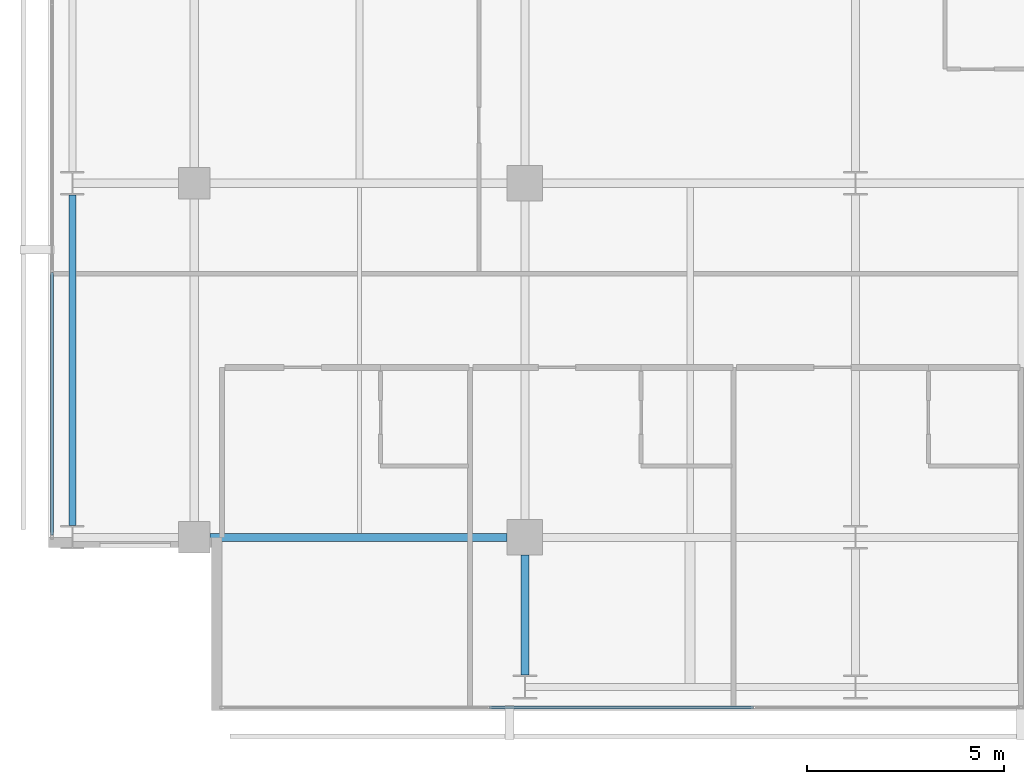
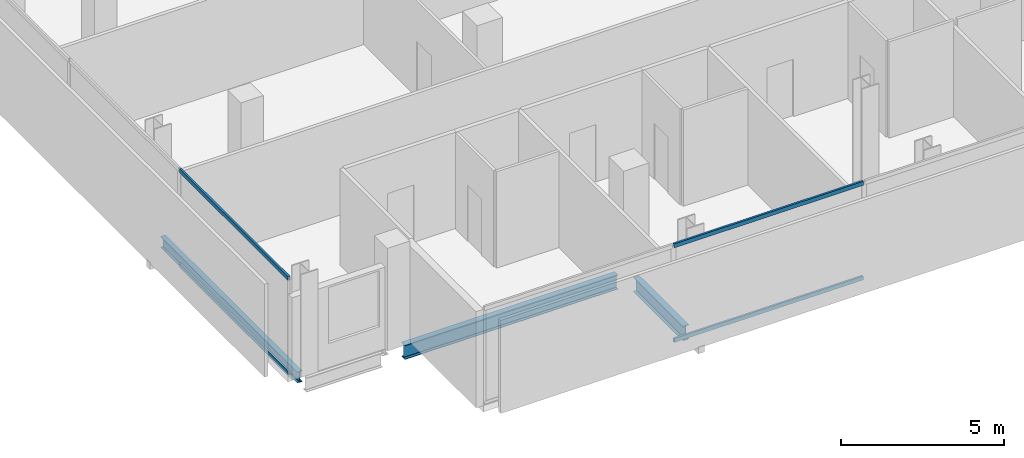
# One storey, part 3 of 33: 4 members, 3 beams, 2 elements without a shape of their own.
"""IFC4 building model written with IfcOpenShell, lengths in metres."""

from ifc_helpers import new_model, si_unit, direction, frame, origin, origin_2d, place, context, subcontext, project, spatial, hollow_rectangle, i_section, extrude, material, layer, layer_set, material_profile, profile_set, type_object, element, aggregate, save


model = new_model("IFC4")

# Units and contexts
model_context = context("Model", 3, precision=1e-05, world=origin(), true_north=direction((0.0, 1.0)))
body_context = subcontext(model_context, "Body", "Model", "MODEL_VIEW")
ifc_project = project(units=[si_unit("LENGTHUNIT", "METRE"), si_unit("AREAUNIT", "SQUARE_METRE"), si_unit("VOLUMEUNIT", "CUBIC_METRE"), si_unit("PLANEANGLEUNIT", "RADIAN"), si_unit("MASSUNIT", "GRAM", prefix="KILO")], contexts=[model_context])

# Site, building, storey
site_placement = place(None, origin())
site = spatial("IfcSite", under=ifc_project, at=site_placement, CompositionType="ELEMENT")
building_placement = place(site_placement, origin())
building = spatial("IfcBuilding", under=site, at=building_placement, Name="Maruvema Waterfront Hotel and Observation Tower", CompositionType="ELEMENT")
storey_placement = place(building_placement, frame((0.0, 0.0, 196.699951171875)))
storey = spatial("IfcBuildingStorey", under=building, at=storey_placement, Name="L48", CompositionType="ELEMENT", Elevation=196.699951171875)

# Curtain wall, members
ifc_material_1 = material(Name="Anodised bronze aluminium and solar-control low-E IGU", Category="aluminium")
ifc_layer = layer(ifc_material_1, 0.159912109375, Name="Zone 2 Amber Inner Thermal Curtain Wall System CW-03")
ifc_layer_set = layer_set([ifc_layer], Name="Anodised bronze aluminium and solar-control low-E IGU")
curtain_wall_type = type_object("IfcCurtainWallType", Name="Zone 2 Amber Inner Thermal Curtain Wall System CW-03", PredefinedType="USERDEFINED", material=ifc_layer_set)
curtain_wall_1_placement = place(storey_placement, origin())
curtain_wall_1 = element("IfcCurtainWall", 1, at=curtain_wall_1_placement, inside=storey, type_object=curtain_wall_type, Name="L48 Curtain Wall CW-L48-S", ObjectType="UNITISED CURTAIN WALL", PredefinedType="USERDEFINED")
ifc_material_2 = material(Name="Anodised architectural bronze aluminium", Category="aluminium")
ifc_material_profile_1 = material_profile(ifc_material_2, hollow_rectangle(XDim=0.070068359375, YDim=0.14990234375, WallThickness=0.00390625, at=origin_2d()), Name="ALU-T70x150")
ifc_profile_set_1 = profile_set([ifc_material_profile_1], Name="Anodised architectural bronze aluminium")
member_type = type_object("IfcMemberType", Name="Curtain Wall Horizontal Transom ALU-T70x150", PredefinedType="USERDEFINED", material=ifc_profile_set_1)
member_1_placement = place(storey_placement, frame((24.296630859375, 4.679931640625, 0.030029296875), z_axis=(1.0, 0.0, 0.0), x_axis=(0.0, 1.0, 0.0)))
member_1 = element("IfcMember", 2, at=member_1_placement, type_object=member_type, Name="CW-03 transom 2.1", ObjectType="TRANSOM", PredefinedType="USERDEFINED", context=body_context, shape_type="SweptSolid", body=[
    extrude(hollow_rectangle(XDim=0.070068359375, YDim=0.14990234375, WallThickness=0.00390625, at=origin_2d()), origin(), (0.0, 0.0, 1.0), 6.706787109375),
])
member_2_placement = place(storey_placement, frame((24.296630859375, 4.679931640625, 3.580078125), z_axis=(1.0, 0.0, 0.0), x_axis=(0.0, 1.0, 0.0)))
member_2 = element("IfcMember", 3, at=member_2_placement, type_object=member_type, Name="CW-03 transom 2.2", ObjectType="TRANSOM", PredefinedType="USERDEFINED", context=body_context, shape_type="SweptSolid", body=[
    extrude(hollow_rectangle(XDim=0.070068359375, YDim=0.14990234375, WallThickness=0.00390625, at=origin_2d()), origin(), (0.0, 0.0, 1.0), 6.706787109375),
])
aggregate(curtain_wall_1, [member_1, member_2])

curtain_wall_2_placement = place(storey_placement, origin())
curtain_wall_2 = element("IfcCurtainWall", 4, at=curtain_wall_2_placement, inside=storey, type_object=curtain_wall_type, Name="L48 Curtain Wall CW-L48-W", ObjectType="UNITISED CURTAIN WALL", PredefinedType="USERDEFINED")
member_3_placement = place(storey_placement, frame((13.179931640625, 15.736572265625, 0.030029296875), z_axis=(0.0, -1.0, 0.0), x_axis=(1.0, 0.0, 0.0)))
member_3 = element("IfcMember", 5, at=member_3_placement, type_object=member_type, Name="CW-03 transom 6.1", ObjectType="TRANSOM", PredefinedType="USERDEFINED", context=body_context, shape_type="SweptSolid", body=[
    extrude(hollow_rectangle(XDim=0.070068359375, YDim=0.14990234375, WallThickness=0.00390625, at=origin_2d()), origin(), (0.0, 0.0, 1.0), 6.676513671875),
])
member_4_placement = place(storey_placement, frame((13.179931640625, 15.736572265625, 3.580078125), z_axis=(0.0, -1.0, 0.0), x_axis=(1.0, 0.0, 0.0)))
member_4 = element("IfcMember", 6, at=member_4_placement, type_object=member_type, Name="CW-03 transom 6.2", ObjectType="TRANSOM", PredefinedType="USERDEFINED", context=body_context, shape_type="SweptSolid", body=[
    extrude(hollow_rectangle(XDim=0.070068359375, YDim=0.14990234375, WallThickness=0.00390625, at=origin_2d()), origin(), (0.0, 0.0, 1.0), 6.676513671875),
])
aggregate(curtain_wall_2, [member_3, member_4])

# Beams
ifc_material_3 = material(Name="Steel ASTM A572 Grade 50", Category="steel")
ifc_material_profile_2 = material_profile(ifc_material_3, i_section(OverallWidth=0.178955078125, OverallDepth=0.409912109375, WebThickness=0.0087890625, FlangeThickness=0.014404296875, FilletRadius=0.014892578125, at=origin_2d()), Name="W410x67.0")
ifc_profile_set_2 = profile_set([ifc_material_profile_2], Name="Steel ASTM A572 Grade 50")
beam_type_1 = type_object("IfcBeamType", Name="Perimeter Spandrel Beam W410x67.0", PredefinedType="SPANDREL", material=ifc_profile_set_2)
beam_1_placement = place(storey_placement, frame((13.699951171875, 9.300048828125, -0.445068359375), z_axis=(0.0, 1.0, 0.0), x_axis=(-1.0, 0.0, 0.0)))
element("IfcBeam", 7, at=beam_1_placement, inside=storey, type_object=beam_type_1, Name="L48 Floor Girder NS-01", PredefinedType="SPANDREL", context=body_context, shape_type="SweptSolid", body=[
    extrude(i_section(OverallWidth=0.178955078125, OverallDepth=0.409912109375, WebThickness=0.0087890625, FlangeThickness=0.014404296875, FilletRadius=0.014892578125, at=origin_2d()), origin(), (0.0, 0.0, 1.0), 8.39990234375),
])
ifc_material_4 = material(Name="Steel ASTM A572 Grade 50", Category="steel")
ifc_material_profile_3 = material_profile(ifc_material_4, i_section(OverallWidth=0.2109375, OverallDepth=0.5390625, WebThickness=0.01171875, FlangeThickness=0.018798828125, FilletRadius=0.014892578125, at=origin_2d()), Name="W530x109.0")
ifc_profile_set_3 = profile_set([ifc_material_profile_3], Name="Steel ASTM A572 Grade 50")
beam_type_2 = type_object("IfcBeamType", Name="Primary Floor Girder W530x109.0", PredefinedType="BEAM", material=ifc_profile_set_3)
beam_2_placement = place(storey_placement, frame((17.199951171875, 9.0, -0.509521484375), z_axis=(1.0, 0.0, 0.0), x_axis=(0.0, 1.0, 0.0)))
element("IfcBeam", 8, at=beam_2_placement, inside=storey, type_object=beam_type_2, Name="L48 Floor Girder EW-05", PredefinedType="BEAM", context=body_context, shape_type="SweptSolid", body=[
    extrude(i_section(OverallWidth=0.2109375, OverallDepth=0.5390625, WebThickness=0.01171875, FlangeThickness=0.018798828125, FilletRadius=0.014892578125, at=origin_2d()), origin(), (0.0, 0.0, 1.0), 7.550048828125),
])
beam_3_placement = place(storey_placement, frame((25.199951171875, 5.5, -0.509521484375), z_axis=(0.0, 1.0, 0.0), x_axis=(-1.0, 0.0, 0.0)))
element("IfcBeam", 9, at=beam_3_placement, inside=storey, type_object=beam_type_2, Name="L48 Floor Girder NS-09", PredefinedType="BEAM", context=body_context, shape_type="SweptSolid", body=[
    extrude(i_section(OverallWidth=0.2109375, OverallDepth=0.5390625, WebThickness=0.01171875, FlangeThickness=0.018798828125, FilletRadius=0.014892578125, at=origin_2d()), origin(), (0.0, 0.0, 1.0), 3.050048828125),
])

save(model, "model.ifc")
